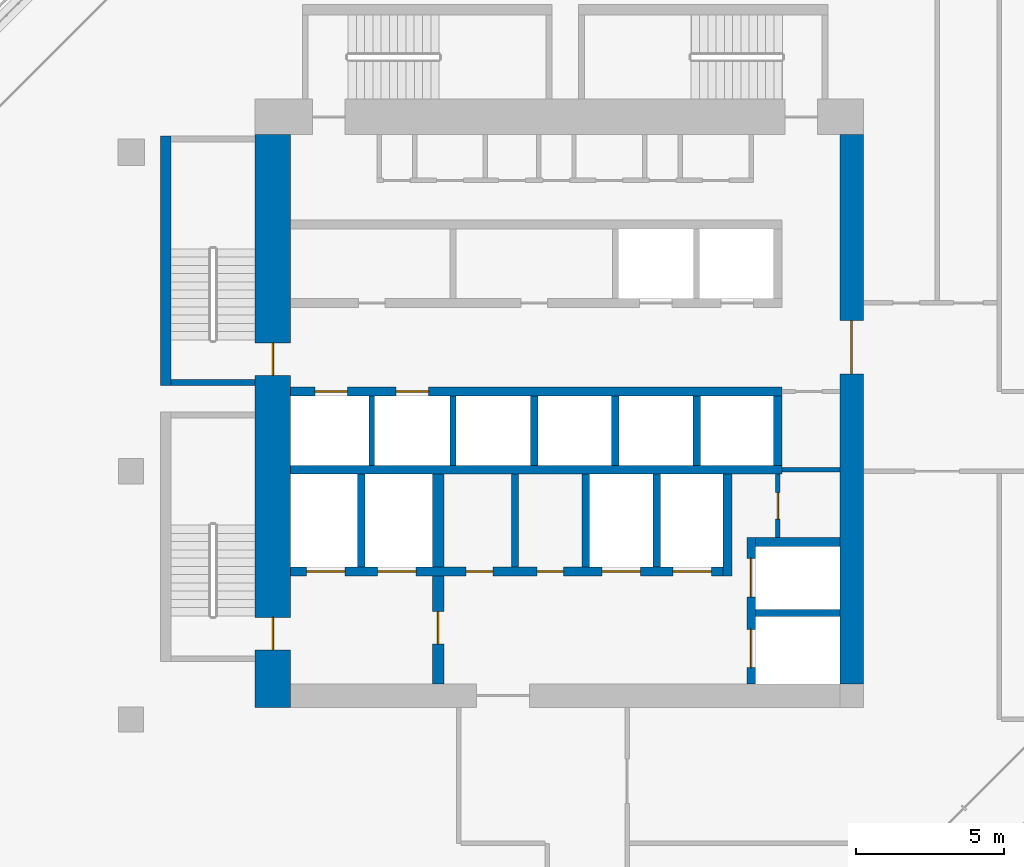
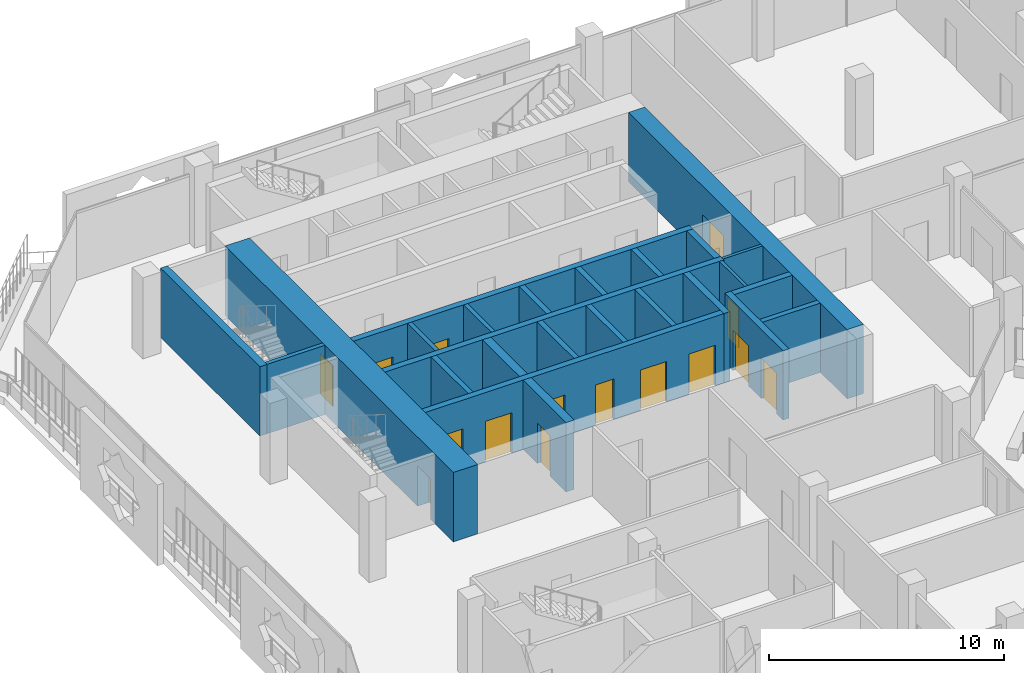
# One storey, part 13 of 24: 25 walls, 15 doors, 15 openings.
"""IFC4 building model written with IfcOpenShell, lengths in metres."""

from ifc_helpers import new_model, si_unit, direction, frame, frame_2d, origin, place, context, subcontext, project, spatial, rectangle, extrude, material, layer, layer_set, type_object, element, fill, save


model = new_model("IFC4")

# Units and contexts
model_context = context("Model", 3, precision=1e-05, world=origin(), true_north=direction((0.0, 1.0)))
body_context = subcontext(model_context, "Body", "Model", "MODEL_VIEW")
ifc_project = project(units=[si_unit("LENGTHUNIT", "METRE"), si_unit("AREAUNIT", "SQUARE_METRE"), si_unit("VOLUMEUNIT", "CUBIC_METRE"), si_unit("PLANEANGLEUNIT", "RADIAN"), si_unit("MASSUNIT", "GRAM", prefix="KILO")], contexts=[model_context])

# Site, building, storey
site_placement = place(None, origin())
site = spatial("IfcSite", under=ifc_project, at=site_placement, CompositionType="ELEMENT")
building_placement = place(site_placement, origin())
building = spatial("IfcBuilding", under=site, at=building_placement, Name="Kawkab Arch Medical Tower", CompositionType="ELEMENT")
storey_placement = place(building_placement, frame((0.0, 0.0, 218.0)))
storey = spatial("IfcBuildingStorey", under=building, at=storey_placement, Name="L50", CompositionType="ELEMENT", Elevation=218.0)

# Wall, openings, doors
ifc_material_1 = material(Name="Concrete C50/60", Category="concrete")
ifc_layer_1 = layer(ifc_material_1, 1.199951171875)
ifc_layer_set_1 = layer_set([ifc_layer_1], Name="Concrete C50/60")
wall_type_1 = type_object("IfcWallType", Name="Core ring wall 1200 C50/60", PredefinedType="SHEAR", material=ifc_layer_set_1)
wall_1_placement = place(storey_placement, frame((4.800048828125, -24.800048828125, 0.0), z_axis=(0.0, 0.0, 1.0), x_axis=(0.0, 1.0, 0.0)))
wall_1 = element("IfcWall", 1, at=wall_1_placement, inside=storey, type_object=wall_type_1, Name="L50 core wall", PredefinedType="SHEAR", context=body_context, shape_type="SweptSolid", body=[
    extrude(rectangle(XDim=19.400146484375, YDim=1.199951171875, at=frame_2d((9.7001953125, 0.0))), origin(), (0.0, 0.0, 1.0), 3.60009765625),
])
opening_1_placement = place(wall_1_placement, frame((11.25, 0.0, 0.0)))
opening_1 = element("IfcOpeningElement", 2, at=opening_1_placement, cuts=wall_1, Name="Opening SD", PredefinedType="OPENING", context=body_context, shape_type="SweptSolid", body=[
    extrude(rectangle(XDim=1.10009765625, YDim=2.10009765625, at=frame_2d((0.550048828125, 1.050048828125))), frame((0.0, 0.60986328125, 0.0), z_axis=(0.0, -1.0, 0.0), x_axis=(1.0, 0.0, 0.0)), (0.0, 0.0, 1.0), 1.219970703125),
])
opening_2_placement = place(wall_1_placement, frame((1.949951171875, 0.0, 0.0)))
opening_2 = element("IfcOpeningElement", 3, at=opening_2_placement, cuts=wall_1, Name="Opening SD", PredefinedType="OPENING", context=body_context, shape_type="SweptSolid", body=[
    extrude(rectangle(XDim=1.10009765625, YDim=2.10009765625, at=frame_2d((0.550048828125, 1.050048828125))), frame((0.0, 0.60986328125, 0.0), z_axis=(0.0, -1.0, 0.0), x_axis=(1.0, 0.0, 0.0)), (0.0, 0.0, 1.0), 1.219970703125),
])
ifc_material_2 = material(Name="Hollow metal fire door leaf")
door_type_1 = type_object("IfcDoorType", Name="Exit stair door 1100", OperationType="SINGLE_SWING_LEFT", PredefinedType="DOOR", material=ifc_material_2)
door_1_placement = place(opening_1_placement, origin())
door_1 = element("IfcDoor", 4, at=door_1_placement, inside=storey, type_object=door_type_1, Name="L50 Exit stair ST1 door", OperationType="SINGLE_SWING_LEFT", OverallHeight=2.10009765625, OverallWidth=1.10009765625, PredefinedType="DOOR", context=body_context, shape_type="SweptSolid", body=[
    extrude(rectangle(XDim=1.10009765625, YDim=2.10009765625, at=frame_2d((0.550048828125, 1.050048828125))), frame((0.0, 0.02490234375, 0.0), z_axis=(0.0, -1.0, 0.0), x_axis=(1.0, 0.0, 0.0)), (0.0, 0.0, 1.0), 0.050048828125),
])
fill(opening_1, door_1)
door_2_placement = place(opening_2_placement, origin())
door_2 = element("IfcDoor", 5, at=door_2_placement, inside=storey, type_object=door_type_1, Name="L50 Exit stair ST2 door", OperationType="SINGLE_SWING_LEFT", OverallHeight=2.10009765625, OverallWidth=1.10009765625, PredefinedType="DOOR", context=body_context, shape_type="SweptSolid", body=[
    extrude(rectangle(XDim=1.10009765625, YDim=2.10009765625, at=frame_2d((0.550048828125, 1.050048828125))), frame((0.0, 0.02490234375, 0.0), z_axis=(0.0, -1.0, 0.0), x_axis=(1.0, 0.0, 0.0)), (0.0, 0.0, 1.0), 0.050048828125),
])
fill(opening_2, door_2)

# Wall, opening, door
ifc_material_3 = material(Name="Concrete C50/60", Category="concrete")
ifc_layer_2 = layer(ifc_material_3, 0.800048828125)
ifc_layer_set_2 = layer_set([ifc_layer_2], Name="Concrete C50/60")
wall_type_2 = type_object("IfcWallType", Name="Core ring wall 800 C50/60", PredefinedType="SHEAR", material=ifc_layer_set_2)
wall_2_placement = place(storey_placement, frame((24.39990234375, -24.0, 0.0), z_axis=(0.0, 0.0, 1.0), x_axis=(0.0, 1.0, 0.0)))
wall_2 = element("IfcWall", 6, at=wall_2_placement, inside=storey, type_object=wall_type_2, Name="L50 core wall", PredefinedType="SHEAR", context=body_context, shape_type="SweptSolid", body=[
    extrude(rectangle(XDim=18.60009765625, YDim=0.800048828125, at=frame_2d((9.300048828125, 0.0))), origin(), (0.0, 0.0, 1.0), 3.60009765625),
])
opening_3_placement = place(wall_2_placement, frame((10.5, 0.0, 0.0)))
opening_3 = element("IfcOpeningElement", 7, at=opening_3_placement, cuts=wall_2, Name="Opening PD", PredefinedType="OPENING", context=body_context, shape_type="SweptSolid", body=[
    extrude(rectangle(XDim=1.800048828125, YDim=2.10009765625, at=frame_2d((0.89990234375, 1.050048828125))), frame((0.0, 0.409912109375, 0.0), z_axis=(0.0, -1.0, 0.0), x_axis=(1.0, 0.0, 0.0)), (0.0, 0.0, 1.0), 0.820068359375),
])
ifc_material_4 = material(Name="Hollow metal fire door leaf")
door_type_2 = type_object("IfcDoorType", Name="Core entrance doors 1800", OperationType="DOUBLE_DOOR_SINGLE_SWING", PredefinedType="DOOR", material=ifc_material_4)
door_3_placement = place(opening_3_placement, origin())
door_3 = element("IfcDoor", 8, at=door_3_placement, inside=storey, type_object=door_type_2, Name="L50 East entrance doors", OperationType="DOUBLE_DOOR_SINGLE_SWING", OverallHeight=2.10009765625, OverallWidth=1.800048828125, PredefinedType="DOOR", context=body_context, shape_type="SweptSolid", body=[
    extrude(rectangle(XDim=1.800048828125, YDim=2.10009765625, at=frame_2d((0.89990234375, 1.050048828125))), frame((0.0, 0.02490234375, 0.0), z_axis=(0.0, -1.0, 0.0), x_axis=(1.0, 0.0, 0.0)), (0.0, 0.0, 1.0), 0.050048828125),
])
fill(opening_3, door_3)

ifc_material_5 = material(Name="Gypsum board on steel studs", Category="steel")
ifc_layer_3 = layer(ifc_material_5, 0.14990234375)
ifc_layer_set_3 = layer_set([ifc_layer_3], Name="Gypsum board on steel studs")
wall_type_3 = type_object("IfcWallType", Name="Core room partition 150", PredefinedType="PARTITIONING", material=ifc_layer_set_3)
wall_3_placement = place(storey_placement, frame((21.89990234375, -19.050048828125, 0.0), z_axis=(0.0, 0.0, 1.0), x_axis=(0.0, 1.0, 0.0)))
wall_3 = element("IfcWall", 9, at=wall_3_placement, inside=storey, type_object=wall_type_3, Name="L50 core room partition", PredefinedType="PARTITIONING", context=body_context, shape_type="SweptSolid", body=[
    extrude(rectangle(XDim=2.150146484375, YDim=0.14990234375, at=frame_2d((1.0751953125, 0.0))), origin(), (0.0, 0.0, 1.0), 3.60009765625),
])
opening_4_placement = place(wall_3_placement, frame((0.625, 0.0, 0.0)))
opening_4 = element("IfcOpeningElement", 10, at=opening_4_placement, cuts=wall_3, Name="Opening RD", PredefinedType="OPENING", context=body_context, shape_type="SweptSolid", body=[
    extrude(rectangle(XDim=0.89990234375, YDim=2.10009765625, at=frame_2d((0.449951171875, 1.050048828125))), frame((0.0, 0.0849609375, 0.0), z_axis=(0.0, -1.0, 0.0), x_axis=(1.0, 0.0, 0.0)), (0.0, 0.0, 1.0), 0.169921875),
])
ifc_material_6 = material(Name="Hollow metal fire door leaf")
door_type_3 = type_object("IfcDoorType", Name="Core room door 900", OperationType="SINGLE_SWING_LEFT", PredefinedType="DOOR", material=ifc_material_6)
door_4_placement = place(opening_4_placement, origin())
door_4 = element("IfcDoor", 11, at=door_4_placement, inside=storey, type_object=door_type_3, Name="L50 Staff WC door", OperationType="SINGLE_SWING_LEFT", OverallHeight=2.10009765625, OverallWidth=0.89990234375, PredefinedType="DOOR", context=body_context, shape_type="SweptSolid", body=[
    extrude(rectangle(XDim=0.89990234375, YDim=2.10009765625, at=frame_2d((0.449951171875, 1.050048828125))), frame((0.0, 0.02490234375, 0.0), z_axis=(0.0, -1.0, 0.0), x_axis=(1.0, 0.0, 0.0)), (0.0, 0.0, 1.0), 0.050048828125),
])
fill(opening_4, door_4)

# Walls
wall_4_placement = place(storey_placement, frame((22.050048828125, -16.75, 0.0), z_axis=(0.0, 0.0, 1.0), x_axis=(1.0, 0.0, 0.0)))
element("IfcWall", 12, at=wall_4_placement, inside=storey, type_object=wall_type_3, Name="L50 core room partition", PredefinedType="PARTITIONING", context=body_context, shape_type="SweptSolid", body=[
    extrude(rectangle(XDim=1.949951171875, YDim=0.14990234375, at=frame_2d((0.97509765625, 0.0))), origin(), (0.0, 0.0, 1.0), 3.60009765625),
])
ifc_material_7 = material(Name="Concrete C60/75", Category="concrete")
ifc_layer_4 = layer(ifc_material_7, 0.25)
ifc_layer_set_4 = layer_set([ifc_layer_4], Name="Concrete C60/75")
wall_type_4 = type_object("IfcWallType", Name="Core shear wall 250 C60/75", PredefinedType="SHEAR", material=ifc_layer_set_4)
wall_5_placement = place(storey_placement, frame((21.14990234375, -21.60009765625, 0.0), z_axis=(0.0, 0.0, 1.0), x_axis=(1.0, 0.0, 0.0)))
element("IfcWall", 13, at=wall_5_placement, inside=storey, type_object=wall_type_4, Name="L50 core shear wall", PredefinedType="SHEAR", context=body_context, shape_type="SweptSolid", body=[
    extrude(rectangle(XDim=2.85009765625, YDim=0.25, at=frame_2d((1.425048828125, 0.0))), origin(), (0.0, 0.0, 1.0), 3.60009765625),
])
for number, where, z_axis, x_axis, name in (
    (14, (7.800048828125, -20.050048828125, 0.0), (0.0, 0.0, 1.0), (0.0, 1.0, 0.0), "L50 core shear wall"),
    (15, (13.0, -20.050048828125, 0.0), (0.0, 0.0, 1.0), (0.0, 1.0, 0.0), "L50 core shear wall"),
    (16, (15.39990234375, -20.050048828125, 0.0), (0.0, 0.0, 1.0), (0.0, 1.0, 0.0), "L50 core shear wall"),
    (17, (17.800048828125, -20.050048828125, 0.0), (0.0, 0.0, 1.0), (0.0, 1.0, 0.0), "L50 core shear wall"),
):
    element("IfcWall", number, at=place(storey_placement, frame(where, z_axis=z_axis, x_axis=x_axis)), inside=storey, type_object=wall_type_4, Name=name, PredefinedType="SHEAR", context=body_context, shape_type="SweptSolid", body=[
        extrude(rectangle(XDim=3.150146484375, YDim=0.25, at=frame_2d((1.5751953125, 0.0))), origin(), (0.0, 0.0, 1.0), 3.60009765625),
    ])
for number, where, z_axis, x_axis, name in (
    (18, (13.64990234375, -16.60009765625, 0.0), (0.0, 0.0, 1.0), (0.0, 1.0, 0.0), "L50 core shear wall"),
    (19, (16.39990234375, -16.60009765625, 0.0), (0.0, 0.0, 1.0), (0.0, 1.0, 0.0), "L50 core shear wall"),
    (20, (19.14990234375, -16.60009765625, 0.0), (0.0, 0.0, 1.0), (0.0, 1.0, 0.0), "L50 core shear wall"),
):
    element("IfcWall", number, at=place(storey_placement, frame(where, z_axis=z_axis, x_axis=x_axis)), inside=storey, type_object=wall_type_4, Name=name, PredefinedType="SHEAR", context=body_context, shape_type="SweptSolid", body=[
        extrude(rectangle(XDim=2.35009765625, YDim=0.25, at=frame_2d((1.175048828125, 0.0))), origin(), (0.0, 0.0, 1.0), 3.60009765625),
    ])

# Wall, openings, doors
ifc_material_8 = material(Name="Concrete C60/75", Category="concrete")
ifc_layer_5 = layer(ifc_material_8, 0.300048828125)
ifc_layer_set_5 = layer_set([ifc_layer_5], Name="Concrete C60/75")
wall_type_5 = type_object("IfcWallType", Name="Core shear wall 300 C60/75", PredefinedType="SHEAR", material=ifc_layer_set_5)
wall_6_placement = place(storey_placement, frame((5.39990234375, -14.10009765625, 0.0), z_axis=(0.0, 0.0, 1.0), x_axis=(1.0, 0.0, 0.0)))
wall_6 = element("IfcWall", 21, at=wall_6_placement, inside=storey, type_object=wall_type_5, Name="L50 core shear wall", PredefinedType="SHEAR", context=body_context, shape_type="SweptSolid", body=[
    extrude(rectangle(XDim=16.650146484375, YDim=0.300048828125, at=frame_2d((8.3251953125, 0.0))), origin(), (0.0, 0.0, 1.0), 3.60009765625),
])
opening_5_placement = place(wall_6_placement, frame((0.824951171875, 0.0, 0.0)))
opening_5 = element("IfcOpeningElement", 22, at=opening_5_placement, cuts=wall_6, Name="Opening LD1", PredefinedType="OPENING", context=body_context, shape_type="SweptSolid", body=[
    extrude(rectangle(XDim=1.10009765625, YDim=2.10009765625, at=frame_2d((0.550048828125, 1.050048828125))), frame((0.0, 0.159912109375, 0.0), z_axis=(0.0, -1.0, 0.0), x_axis=(1.0, 0.0, 0.0)), (0.0, 0.0, 1.0), 0.320068359375),
])
opening_6_placement = place(wall_6_placement, frame((3.574951171875, 0.0, 0.0)))
opening_6 = element("IfcOpeningElement", 23, at=opening_6_placement, cuts=wall_6, Name="Opening LD1", PredefinedType="OPENING", context=body_context, shape_type="SweptSolid", body=[
    extrude(rectangle(XDim=1.10009765625, YDim=2.10009765625, at=frame_2d((0.550048828125, 1.050048828125))), frame((0.0, 0.159912109375, 0.0), z_axis=(0.0, -1.0, 0.0), x_axis=(1.0, 0.0, 0.0)), (0.0, 0.0, 1.0), 0.320068359375),
])
ifc_material_9 = material(Name="Stainless steel lift door leaf", Category="steel")
door_type_4 = type_object("IfcDoorType", Name="Lift landing door 1100", OperationType="DOUBLE_DOOR_SLIDING", PredefinedType="DOOR", material=ifc_material_9)
door_5_placement = place(opening_5_placement, origin())
door_5 = element("IfcDoor", 24, at=door_5_placement, inside=storey, type_object=door_type_4, Name="L50 Lift landing door MP3", OperationType="DOUBLE_DOOR_SLIDING", OverallHeight=2.10009765625, OverallWidth=1.10009765625, PredefinedType="DOOR", context=body_context, shape_type="SweptSolid", body=[
    extrude(rectangle(XDim=1.10009765625, YDim=2.10009765625, at=frame_2d((0.550048828125, 1.050048828125))), frame((0.0, 0.02490234375, 0.0), z_axis=(0.0, -1.0, 0.0), x_axis=(1.0, 0.0, 0.0)), (0.0, 0.0, 1.0), 0.050048828125),
])
fill(opening_5, door_5)
door_6_placement = place(opening_6_placement, origin())
door_6 = element("IfcDoor", 25, at=door_6_placement, inside=storey, type_object=door_type_4, Name="L50 Lift landing door MP4", OperationType="DOUBLE_DOOR_SLIDING", OverallHeight=2.10009765625, OverallWidth=1.10009765625, PredefinedType="DOOR", context=body_context, shape_type="SweptSolid", body=[
    extrude(rectangle(XDim=1.10009765625, YDim=2.10009765625, at=frame_2d((0.550048828125, 1.050048828125))), frame((0.0, 0.02490234375, 0.0), z_axis=(0.0, -1.0, 0.0), x_axis=(1.0, 0.0, 0.0)), (0.0, 0.0, 1.0), 0.050048828125),
])
fill(opening_6, door_6)

# Wall
wall_7_placement = place(storey_placement, frame((5.39990234375, -16.75, 0.0), z_axis=(0.0, 0.0, 1.0), x_axis=(1.0, 0.0, 0.0)))
element("IfcWall", 26, at=wall_7_placement, inside=storey, type_object=wall_type_5, Name="L50 core shear wall", PredefinedType="SHEAR", context=body_context, shape_type="SweptSolid", body=[
    extrude(rectangle(XDim=16.650146484375, YDim=0.300048828125, at=frame_2d((8.3251953125, 0.0))), origin(), (0.0, 0.0, 1.0), 3.60009765625),
])

# Wall, openings, doors
wall_8_placement = place(storey_placement, frame((5.39990234375, -20.199951171875, 0.0), z_axis=(0.0, 0.0, 1.0), x_axis=(1.0, 0.0, 0.0)))
wall_8 = element("IfcWall", 27, at=wall_8_placement, inside=storey, type_object=wall_type_5, Name="L50 core shear wall", PredefinedType="SHEAR", context=body_context, shape_type="SweptSolid", body=[
    extrude(rectangle(XDim=14.650146484375, YDim=0.300048828125, at=frame_2d((7.3251953125, 0.0))), origin(), (0.0, 0.0, 1.0), 3.60009765625),
])
opening_7_placement = place(wall_8_placement, frame((10.550048828125, 0.0, 0.0)))
opening_7 = element("IfcOpeningElement", 28, at=opening_7_placement, cuts=wall_8, Name="Opening LD2", PredefinedType="OPENING", context=body_context, shape_type="SweptSolid", body=[
    extrude(rectangle(XDim=1.300048828125, YDim=2.10009765625, at=frame_2d((0.64990234375, 1.050048828125))), frame((0.0, 0.159912109375, 0.0), z_axis=(0.0, -1.0, 0.0), x_axis=(1.0, 0.0, 0.0)), (0.0, 0.0, 1.0), 0.320068359375),
])
opening_8_placement = place(wall_8_placement, frame((12.949951171875, 0.0, 0.0)))
opening_8 = element("IfcOpeningElement", 29, at=opening_8_placement, cuts=wall_8, Name="Opening LD2", PredefinedType="OPENING", context=body_context, shape_type="SweptSolid", body=[
    extrude(rectangle(XDim=1.300048828125, YDim=2.10009765625, at=frame_2d((0.64990234375, 1.050048828125))), frame((0.0, 0.159912109375, 0.0), z_axis=(0.0, -1.0, 0.0), x_axis=(1.0, 0.0, 0.0)), (0.0, 0.0, 1.0), 0.320068359375),
])
opening_9_placement = place(wall_8_placement, frame((0.550048828125, 0.0, 0.0)))
opening_9 = element("IfcOpeningElement", 30, at=opening_9_placement, cuts=wall_8, Name="Opening LD2", PredefinedType="OPENING", context=body_context, shape_type="SweptSolid", body=[
    extrude(rectangle(XDim=1.300048828125, YDim=2.10009765625, at=frame_2d((0.64990234375, 1.050048828125))), frame((0.0, 0.159912109375, 0.0), z_axis=(0.0, -1.0, 0.0), x_axis=(1.0, 0.0, 0.0)), (0.0, 0.0, 1.0), 0.320068359375),
])
opening_10_placement = place(wall_8_placement, frame((2.949951171875, 0.0, 0.0)))
opening_10 = element("IfcOpeningElement", 31, at=opening_10_placement, cuts=wall_8, Name="Opening LD2", PredefinedType="OPENING", context=body_context, shape_type="SweptSolid", body=[
    extrude(rectangle(XDim=1.300048828125, YDim=2.10009765625, at=frame_2d((0.64990234375, 1.050048828125))), frame((0.0, 0.159912109375, 0.0), z_axis=(0.0, -1.0, 0.0), x_axis=(1.0, 0.0, 0.0)), (0.0, 0.0, 1.0), 0.320068359375),
])
opening_11_placement = place(wall_8_placement, frame((5.949951171875, 0.0, 0.0)))
opening_11 = element("IfcOpeningElement", 32, at=opening_11_placement, cuts=wall_8, Name="Opening RD", PredefinedType="OPENING", context=body_context, shape_type="SweptSolid", body=[
    extrude(rectangle(XDim=0.89990234375, YDim=2.10009765625, at=frame_2d((0.449951171875, 1.050048828125))), frame((0.0, 0.159912109375, 0.0), z_axis=(0.0, -1.0, 0.0), x_axis=(1.0, 0.0, 0.0)), (0.0, 0.0, 1.0), 0.320068359375),
])
opening_12_placement = place(wall_8_placement, frame((8.35009765625, 0.0, 0.0)))
opening_12 = element("IfcOpeningElement", 33, at=opening_12_placement, cuts=wall_8, Name="Opening RD", PredefinedType="OPENING", context=body_context, shape_type="SweptSolid", body=[
    extrude(rectangle(XDim=0.89990234375, YDim=2.10009765625, at=frame_2d((0.449951171875, 1.050048828125))), frame((0.0, 0.159912109375, 0.0), z_axis=(0.0, -1.0, 0.0), x_axis=(1.0, 0.0, 0.0)), (0.0, 0.0, 1.0), 0.320068359375),
])
door_7_placement = place(opening_11_placement, origin())
door_7 = element("IfcDoor", 34, at=door_7_placement, inside=storey, type_object=door_type_3, Name="L50 Clean utility room door", OperationType="SINGLE_SWING_LEFT", OverallHeight=2.10009765625, OverallWidth=0.89990234375, PredefinedType="DOOR", context=body_context, shape_type="SweptSolid", body=[
    extrude(rectangle(XDim=0.89990234375, YDim=2.10009765625, at=frame_2d((0.449951171875, 1.050048828125))), frame((0.0, 0.02490234375, 0.0), z_axis=(0.0, -1.0, 0.0), x_axis=(1.0, 0.0, 0.0)), (0.0, 0.0, 1.0), 0.050048828125),
])
fill(opening_11, door_7)
door_8_placement = place(opening_12_placement, origin())
door_8 = element("IfcDoor", 35, at=door_8_placement, inside=storey, type_object=door_type_3, Name="L50 Dirty utility room door", OperationType="SINGLE_SWING_LEFT", OverallHeight=2.10009765625, OverallWidth=0.89990234375, PredefinedType="DOOR", context=body_context, shape_type="SweptSolid", body=[
    extrude(rectangle(XDim=0.89990234375, YDim=2.10009765625, at=frame_2d((0.449951171875, 1.050048828125))), frame((0.0, 0.02490234375, 0.0), z_axis=(0.0, -1.0, 0.0), x_axis=(1.0, 0.0, 0.0)), (0.0, 0.0, 1.0), 0.050048828125),
])
fill(opening_12, door_8)
ifc_material_10 = material(Name="Stainless steel lift door leaf", Category="steel")
door_type_5 = type_object("IfcDoorType", Name="Lift landing door 1300", OperationType="DOUBLE_DOOR_SLIDING", PredefinedType="DOOR", material=ifc_material_10)
door_9_placement = place(opening_7_placement, origin())
door_9 = element("IfcDoor", 36, at=door_9_placement, inside=storey, type_object=door_type_5, Name="L50 Lift landing door BD3", OperationType="DOUBLE_DOOR_SLIDING", OverallHeight=2.10009765625, OverallWidth=1.300048828125, PredefinedType="DOOR", context=body_context, shape_type="SweptSolid", body=[
    extrude(rectangle(XDim=1.300048828125, YDim=2.10009765625, at=frame_2d((0.64990234375, 1.050048828125))), frame((0.0, 0.02490234375, 0.0), z_axis=(0.0, -1.0, 0.0), x_axis=(1.0, 0.0, 0.0)), (0.0, 0.0, 1.0), 0.050048828125),
])
fill(opening_7, door_9)
door_10_placement = place(opening_8_placement, origin())
door_10 = element("IfcDoor", 37, at=door_10_placement, inside=storey, type_object=door_type_5, Name="L50 Lift landing door BD4", OperationType="DOUBLE_DOOR_SLIDING", OverallHeight=2.10009765625, OverallWidth=1.300048828125, PredefinedType="DOOR", context=body_context, shape_type="SweptSolid", body=[
    extrude(rectangle(XDim=1.300048828125, YDim=2.10009765625, at=frame_2d((0.64990234375, 1.050048828125))), frame((0.0, 0.02490234375, 0.0), z_axis=(0.0, -1.0, 0.0), x_axis=(1.0, 0.0, 0.0)), (0.0, 0.0, 1.0), 0.050048828125),
])
fill(opening_8, door_10)
door_11_placement = place(opening_9_placement, origin())
door_11 = element("IfcDoor", 38, at=door_11_placement, inside=storey, type_object=door_type_5, Name="L50 Lift landing door FL1", OperationType="DOUBLE_DOOR_SLIDING", OverallHeight=2.10009765625, OverallWidth=1.300048828125, PredefinedType="DOOR", context=body_context, shape_type="SweptSolid", body=[
    extrude(rectangle(XDim=1.300048828125, YDim=2.10009765625, at=frame_2d((0.64990234375, 1.050048828125))), frame((0.0, 0.02490234375, 0.0), z_axis=(0.0, -1.0, 0.0), x_axis=(1.0, 0.0, 0.0)), (0.0, 0.0, 1.0), 0.050048828125),
])
fill(opening_9, door_11)
door_12_placement = place(opening_10_placement, origin())
door_12 = element("IfcDoor", 39, at=door_12_placement, inside=storey, type_object=door_type_5, Name="L50 Lift landing door FL2", OperationType="DOUBLE_DOOR_SLIDING", OverallHeight=2.10009765625, OverallWidth=1.300048828125, PredefinedType="DOOR", context=body_context, shape_type="SweptSolid", body=[
    extrude(rectangle(XDim=1.300048828125, YDim=2.10009765625, at=frame_2d((0.64990234375, 1.050048828125))), frame((0.0, 0.02490234375, 0.0), z_axis=(0.0, -1.0, 0.0), x_axis=(1.0, 0.0, 0.0)), (0.0, 0.0, 1.0), 0.050048828125),
])
fill(opening_10, door_12)

# Walls
wall_9_placement = place(storey_placement, frame((20.199951171875, -20.35009765625, 0.0), z_axis=(0.0, 0.0, 1.0), x_axis=(0.0, 1.0, 0.0)))
element("IfcWall", 40, at=wall_9_placement, inside=storey, type_object=wall_type_5, Name="L50 core shear wall", PredefinedType="SHEAR", context=body_context, shape_type="SweptSolid", body=[
    extrude(rectangle(XDim=3.4501953125, YDim=0.300048828125, at=frame_2d((1.72509765625, 0.0))), origin(), (0.0, 0.0, 1.0), 3.60009765625),
])
wall_10_placement = place(storey_placement, frame((21.89990234375, -16.60009765625, 0.0), z_axis=(0.0, 0.0, 1.0), x_axis=(0.0, 1.0, 0.0)))
element("IfcWall", 41, at=wall_10_placement, inside=storey, type_object=wall_type_5, Name="L50 core shear wall", PredefinedType="SHEAR", context=body_context, shape_type="SweptSolid", body=[
    extrude(rectangle(XDim=2.35009765625, YDim=0.300048828125, at=frame_2d((1.175048828125, 0.0))), origin(), (0.0, 0.0, 1.0), 3.60009765625),
])
wall_11_placement = place(storey_placement, frame((21.14990234375, -19.199951171875, 0.0), z_axis=(0.0, 0.0, 1.0), x_axis=(1.0, 0.0, 0.0)))
element("IfcWall", 42, at=wall_11_placement, inside=storey, type_object=wall_type_5, Name="L50 core shear wall", PredefinedType="SHEAR", context=body_context, shape_type="SweptSolid", body=[
    extrude(rectangle(XDim=2.85009765625, YDim=0.300048828125, at=frame_2d((1.425048828125, 0.0))), origin(), (0.0, 0.0, 1.0), 3.60009765625),
])

# Wall, openings, doors
wall_12_placement = place(storey_placement, frame((21.0, -24.0, 0.0), z_axis=(0.0, 0.0, 1.0), x_axis=(0.0, 1.0, 0.0)))
wall_12 = element("IfcWall", 43, at=wall_12_placement, inside=storey, type_object=wall_type_5, Name="L50 core shear wall", PredefinedType="SHEAR", context=body_context, shape_type="SweptSolid", body=[
    extrude(rectangle(XDim=4.949951171875, YDim=0.300048828125, at=frame_2d((2.47509765625, 0.0))), origin(), (0.0, 0.0, 1.0), 3.60009765625),
])
opening_13_placement = place(wall_12_placement, frame((2.949951171875, 0.0, 0.0)))
opening_13 = element("IfcOpeningElement", 44, at=opening_13_placement, cuts=wall_12, Name="Opening LD2", PredefinedType="OPENING", context=body_context, shape_type="SweptSolid", body=[
    extrude(rectangle(XDim=1.300048828125, YDim=2.10009765625, at=frame_2d((0.64990234375, 1.050048828125))), frame((0.0, 0.159912109375, 0.0), z_axis=(0.0, -1.0, 0.0), x_axis=(1.0, 0.0, 0.0)), (0.0, 0.0, 1.0), 0.320068359375),
])
opening_14_placement = place(wall_12_placement, frame((0.550048828125, 0.0, 0.0)))
opening_14 = element("IfcOpeningElement", 45, at=opening_14_placement, cuts=wall_12, Name="Opening LD2", PredefinedType="OPENING", context=body_context, shape_type="SweptSolid", body=[
    extrude(rectangle(XDim=1.300048828125, YDim=2.10009765625, at=frame_2d((0.64990234375, 1.050048828125))), frame((0.0, 0.159912109375, 0.0), z_axis=(0.0, -1.0, 0.0), x_axis=(1.0, 0.0, 0.0)), (0.0, 0.0, 1.0), 0.320068359375),
])
door_13_placement = place(opening_13_placement, origin())
door_13 = element("IfcDoor", 46, at=door_13_placement, inside=storey, type_object=door_type_5, Name="L50 Lift landing door BD1", OperationType="DOUBLE_DOOR_SLIDING", OverallHeight=2.10009765625, OverallWidth=1.300048828125, PredefinedType="DOOR", context=body_context, shape_type="SweptSolid", body=[
    extrude(rectangle(XDim=1.300048828125, YDim=2.10009765625, at=frame_2d((0.64990234375, 1.050048828125))), frame((0.0, 0.02490234375, 0.0), z_axis=(0.0, -1.0, 0.0), x_axis=(1.0, 0.0, 0.0)), (0.0, 0.0, 1.0), 0.050048828125),
])
fill(opening_13, door_13)
door_14_placement = place(opening_14_placement, origin())
door_14 = element("IfcDoor", 47, at=door_14_placement, inside=storey, type_object=door_type_5, Name="L50 Lift landing door BD2", OperationType="DOUBLE_DOOR_SLIDING", OverallHeight=2.10009765625, OverallWidth=1.300048828125, PredefinedType="DOOR", context=body_context, shape_type="SweptSolid", body=[
    extrude(rectangle(XDim=1.300048828125, YDim=2.10009765625, at=frame_2d((0.64990234375, 1.050048828125))), frame((0.0, 0.02490234375, 0.0), z_axis=(0.0, -1.0, 0.0), x_axis=(1.0, 0.0, 0.0)), (0.0, 0.0, 1.0), 0.050048828125),
])
fill(opening_14, door_14)

# Wall, opening, door
ifc_material_11 = material(Name="Concrete C60/75", Category="concrete")
ifc_layer_6 = layer(ifc_material_11, 0.39990234375)
ifc_layer_set_6 = layer_set([ifc_layer_6], Name="Concrete C60/75")
wall_type_6 = type_object("IfcWallType", Name="Core shear wall 400 C60/75", PredefinedType="SHEAR", material=ifc_layer_set_6)
wall_13_placement = place(storey_placement, frame((10.39990234375, -24.0, 0.0), z_axis=(0.0, 0.0, 1.0), x_axis=(0.0, 1.0, 0.0)))
wall_13 = element("IfcWall", 48, at=wall_13_placement, inside=storey, type_object=wall_type_6, Name="L50 core shear wall", PredefinedType="SHEAR", context=body_context, shape_type="SweptSolid", body=[
    extrude(rectangle(XDim=3.64990234375, YDim=0.39990234375, at=frame_2d((1.824951171875, 0.0))), origin(), (0.0, 0.0, 1.0), 3.60009765625),
])
opening_15_placement = place(wall_13_placement, frame((1.35009765625, 0.0, 0.0)))
opening_15 = element("IfcOpeningElement", 49, at=opening_15_placement, cuts=wall_13, Name="Opening FD", PredefinedType="OPENING", context=body_context, shape_type="SweptSolid", body=[
    extrude(rectangle(XDim=1.10009765625, YDim=2.10009765625, at=frame_2d((0.550048828125, 1.050048828125))), frame((0.0, 0.2099609375, 0.0), z_axis=(0.0, -1.0, 0.0), x_axis=(1.0, 0.0, 0.0)), (0.0, 0.0, 1.0), 0.419921875),
])
ifc_material_12 = material(Name="Hollow metal fire door leaf")
door_type_6 = type_object("IfcDoorType", Name="Firefighting lobby door 1100", OperationType="SINGLE_SWING_LEFT", PredefinedType="DOOR", material=ifc_material_12)
door_15_placement = place(opening_15_placement, origin())
door_15 = element("IfcDoor", 50, at=door_15_placement, inside=storey, type_object=door_type_6, Name="L50 Firefighting lobby door", OperationType="SINGLE_SWING_LEFT", OverallHeight=2.10009765625, OverallWidth=1.10009765625, PredefinedType="DOOR", context=body_context, shape_type="SweptSolid", body=[
    extrude(rectangle(XDim=1.10009765625, YDim=2.10009765625, at=frame_2d((0.550048828125, 1.050048828125))), frame((0.0, 0.02490234375, 0.0), z_axis=(0.0, -1.0, 0.0), x_axis=(1.0, 0.0, 0.0)), (0.0, 0.0, 1.0), 0.050048828125),
])
fill(opening_15, door_15)

# Walls
wall_14_placement = place(storey_placement, frame((10.39990234375, -20.050048828125, 0.0), z_axis=(0.0, 0.0, 1.0), x_axis=(0.0, 1.0, 0.0)))
element("IfcWall", 51, at=wall_14_placement, inside=storey, type_object=wall_type_6, Name="L50 core shear wall", PredefinedType="SHEAR", context=body_context, shape_type="SweptSolid", body=[
    extrude(rectangle(XDim=3.150146484375, YDim=0.39990234375, at=frame_2d((1.5751953125, 0.0))), origin(), (0.0, 0.0, 1.0), 3.60009765625),
])
ifc_material_13 = material(Name="Dense concrete blockwork", Category="masonry")
ifc_layer_7 = layer(ifc_material_13, 0.199951171875)
ifc_layer_set_7 = layer_set([ifc_layer_7], Name="Dense concrete blockwork")
wall_type_7 = type_object("IfcWallType", Name="Lift shaft partition 200", PredefinedType="PARTITIONING", material=ifc_layer_set_7)
for number, where, z_axis, x_axis, name in (
    (52, (8.14990234375, -16.60009765625, 0.0), (0.0, 0.0, 1.0), (0.0, 1.0, 0.0), "L50 lift shaft partition"),
    (53, (10.89990234375, -16.60009765625, 0.0), (0.0, 0.0, 1.0), (0.0, 1.0, 0.0), "L50 lift shaft partition"),
):
    element("IfcWall", number, at=place(storey_placement, frame(where, z_axis=z_axis, x_axis=x_axis)), inside=storey, type_object=wall_type_7, Name=name, PredefinedType="PARTITIONING", context=body_context, shape_type="SweptSolid", body=[
        extrude(rectangle(XDim=2.35009765625, YDim=0.199951171875, at=frame_2d((1.175048828125, 0.0))), origin(), (0.0, 0.0, 1.0), 3.60009765625),
    ])
ifc_material_14 = material(Name="Concrete C50/60", Category="concrete")
ifc_layer_8 = layer(ifc_material_14, 0.199951171875)
ifc_layer_set_8 = layer_set([ifc_layer_8], Name="Concrete C50/60")
wall_type_8 = type_object("IfcWallType", Name="Stair enclosure wall 200 C50/60", PredefinedType="SHEAR", material=ifc_layer_set_8)
wall_15_placement = place(storey_placement, frame((1.35009765625, -13.800048828125, 0.0), z_axis=(0.0, 0.0, 1.0), x_axis=(1.0, 0.0, 0.0)))
element("IfcWall", 54, at=wall_15_placement, inside=storey, type_object=wall_type_8, Name="L50 stair enclosure wall", PredefinedType="SHEAR", context=body_context, shape_type="SweptSolid", body=[
    extrude(rectangle(XDim=2.849853515625, YDim=0.199951171875, at=frame_2d((1.4248046875, 0.0))), origin(), (0.0, 0.0, 1.0), 3.60009765625),
])
ifc_material_15 = material(Name="Concrete C50/60", Category="concrete")
ifc_layer_9 = layer(ifc_material_15, 0.35009765625)
ifc_layer_set_9 = layer_set([ifc_layer_9], Name="Concrete C50/60")
wall_type_9 = type_object("IfcWallType", Name="Stair enclosure wall 350 C50/60", PredefinedType="SHEAR", material=ifc_layer_set_9)
wall_16_placement = place(storey_placement, frame((1.175048828125, -13.89990234375, 0.0), z_axis=(0.0, 0.0, 1.0), x_axis=(0.0, 1.0, 0.0)))
element("IfcWall", 55, at=wall_16_placement, inside=storey, type_object=wall_type_9, Name="L50 stair enclosure wall", PredefinedType="SHEAR", context=body_context, shape_type="SweptSolid", body=[
    extrude(rectangle(XDim=8.449951171875, YDim=0.35009765625, at=frame_2d((4.22509765625, 0.0))), origin(), (0.0, 0.0, 1.0), 3.60009765625),
])

save(model, "model.ifc")
